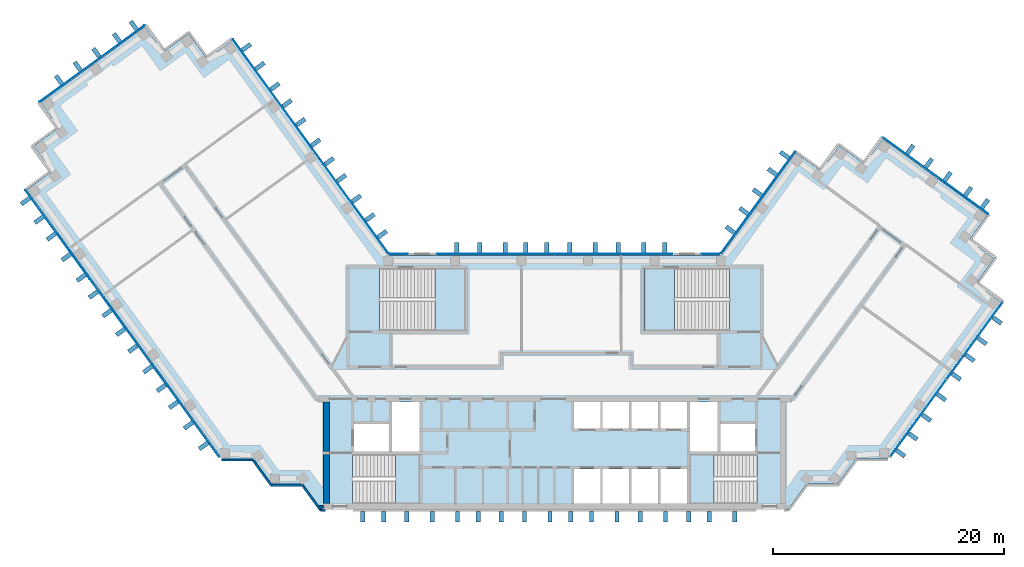
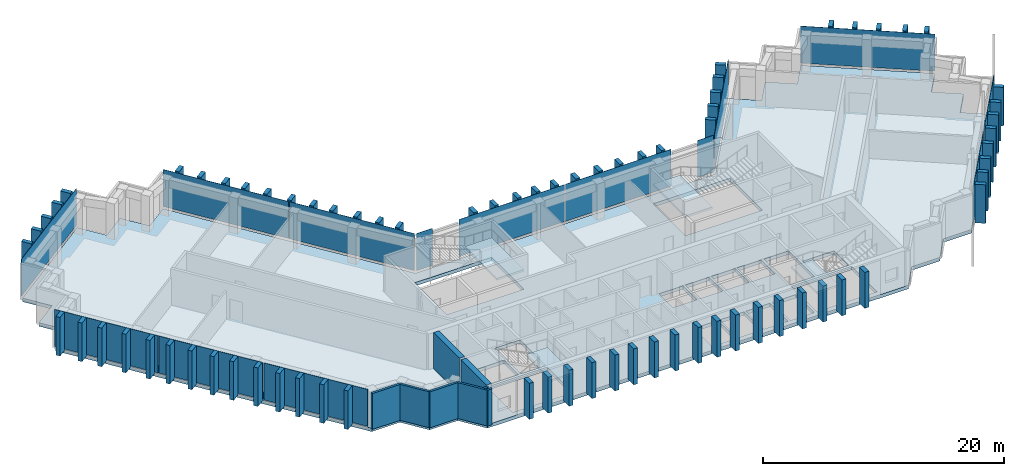
"""IFC4 building model written with IfcOpenShell, lengths in metres."""

from ifc_helpers import new_model, si_unit, direction, frame, frame_2d, origin, origin_2d, place, context, subcontext, project, spatial, polyline, rectangle, outline, extrude, material, layer, layer_set, type_object, element, aggregate, save


model = new_model("IFC4")

# Units and contexts
model_context = context("Model", 3, precision=1e-05, world=origin(), true_north=direction((0.0, 1.0)))
body_context = subcontext(model_context, "Body", "Model", "MODEL_VIEW")
ifc_project = project(units=[si_unit("LENGTHUNIT", "METRE"), si_unit("AREAUNIT", "SQUARE_METRE"), si_unit("VOLUMEUNIT", "CUBIC_METRE"), si_unit("PLANEANGLEUNIT", "RADIAN"), si_unit("MASSUNIT", "GRAM", prefix="KILO")], contexts=[model_context])

# Site, building, storey
site_placement = place(None, origin())
site = spatial("IfcSite", under=ifc_project, at=site_placement, CompositionType="ELEMENT")
building_placement = place(site_placement, origin())
building = spatial("IfcBuilding", under=site, at=building_placement, Name="Quipu Civic Tower", CompositionType="ELEMENT")
storey_1_placement = place(building_placement, frame((0.0, 0.0, 214.0)))
storey_1 = spatial("IfcBuildingStorey", under=building, at=storey_1_placement, Name="L50", CompositionType="ELEMENT", Elevation=214.0)

# Slab
ifc_material_1 = material(Name="Concrete C40/50", Category="concrete")
ifc_layer_1 = layer(ifc_material_1, 0.35009765625)
ifc_layer_set_1 = layer_set([ifc_layer_1], Name="Concrete C40/50")
slab_type_1 = type_object("IfcSlabType", Name="Floor slab 350 C40/50", PredefinedType="FLOOR", material=ifc_layer_set_1)
slab_1_placement = place(storey_1_placement, frame((0.0, 0.0, -0.35009765625)))
element("IfcSlab", 1, at=slab_1_placement, inside=storey_1, type_object=slab_type_1, Name="Floor slab L50", PredefinedType="FLOOR", context=body_context, shape_type="SweptSolid", body=[
    extrude(outline(polyline([(20.860107421875, 19.89501953125), (23.0400390625, 18.31005859375), (24.6298828125, 20.4951171875), (26.81494140625, 18.905029296875), (28.39990234375, 21.090087890625), (37.4599609375, 14.5048828125), (35.875, 12.320068359375), (38.06005859375, 10.735107421875), (36.469970703125, 8.550048828125), (38.655029296875, 6.965087890625), (28.780029296875, -6.6298828125), (26.080078125, -6.6298828125), (24.489990234375, -8.81494140625), (21.7900390625, -8.81494140625), (20.205078125, -11.0), (-20.205078125, -11.0), (-21.7900390625, -8.81494140625), (-24.489990234375, -8.81494140625), (-26.080078125, -6.6298828125), (-28.780029296875, -6.6298828125), (-45.7099609375, 16.669921875), (-43.52490234375, 18.260009765625), (-45.114990234375, 20.445068359375), (-42.929931640625, 22.030029296875), (-44.514892578125, 24.215087890625), (-35.455078125, 30.800048828125), (-33.864990234375, 28.614990234375), (-31.68505859375, 30.199951171875), (-30.094970703125, 28.014892578125), (-27.909912109375, 29.60498046875), (-14.39501953125, 11.0), (14.39501953125, 11.0), (20.860107421875, 19.89501953125)]), holes=[polyline([(1.64990234375, -7.5), (1.64990234375, -10.5), (3.949951171875, -10.5), (3.949951171875, -7.5), (1.64990234375, -7.5)]), polyline([(4.14990234375, -7.5), (4.14990234375, -10.5), (6.449951171875, -10.5), (6.449951171875, -7.5), (4.14990234375, -7.5)]), polyline([(-11.705078125, -6.2548828125), (-17.4951171875, -6.2548828125), (-17.4951171875, -10.4951171875), (-11.705078125, -10.4951171875), (-11.705078125, -6.2548828125)]), polyline([(-17.35009765625, -3.60009765625), (-17.35009765625, -6.0), (-14.35009765625, -6.0), (-14.35009765625, -3.60009765625), (-17.35009765625, -3.60009765625)]), polyline([(-14.10009765625, -1.699951171875), (-14.10009765625, -6.0), (-11.699951171875, -6.0), (-11.699951171875, -1.699951171875), (-14.10009765625, -1.699951171875)]), polyline([(1.64990234375, -1.699951171875), (1.64990234375, -4.0), (3.949951171875, -4.0), (3.949951171875, -1.699951171875), (1.64990234375, -1.699951171875)]), polyline([(4.14990234375, -1.699951171875), (4.14990234375, -4.0), (6.449951171875, -4.0), (6.449951171875, -1.699951171875), (4.14990234375, -1.699951171875)]), polyline([(-7.7548828125, 9.844970703125), (-15.14501953125, 9.844970703125), (-15.14501953125, 4.5048828125), (-7.7548828125, 4.5048828125), (-7.7548828125, 9.844970703125)]), polyline([(6.64990234375, -7.5), (6.64990234375, -10.5), (8.949951171875, -10.5), (8.949951171875, -7.5), (6.64990234375, -7.5)]), polyline([(9.14990234375, -7.5), (9.14990234375, -10.5), (11.449951171875, -10.5), (11.449951171875, -7.5), (9.14990234375, -7.5)]), polyline([(11.705078125, -10.4951171875), (17.4951171875, -10.4951171875), (17.4951171875, -6.2548828125), (11.705078125, -6.2548828125), (11.705078125, -10.4951171875)]), polyline([(14.35009765625, -3.60009765625), (14.35009765625, -6.0), (17.35009765625, -6.0), (17.35009765625, -3.60009765625), (14.35009765625, -3.60009765625)]), polyline([(11.699951171875, -1.699951171875), (11.699951171875, -6.0), (14.10009765625, -6.0), (14.10009765625, -1.699951171875), (11.699951171875, -1.699951171875)]), polyline([(6.64990234375, -1.699951171875), (6.64990234375, -4.0), (8.949951171875, -4.0), (8.949951171875, -1.699951171875), (6.64990234375, -1.699951171875)]), polyline([(9.14990234375, -1.699951171875), (9.14990234375, -4.0), (11.449951171875, -4.0), (11.449951171875, -1.699951171875), (9.14990234375, -1.699951171875)]), polyline([(7.7548828125, 4.5048828125), (15.14501953125, 4.5048828125), (15.14501953125, 9.844970703125), (7.7548828125, 9.844970703125), (7.7548828125, 4.5048828125)])]), origin(), (0.0, 0.0, 1.0), 0.35009765625),
])

# Storey
storey_2_placement = place(building_placement, frame((0.0, 0.0, 210.0)))
storey_2 = spatial("IfcBuildingStorey", under=building, at=storey_2_placement, Name="L49", CompositionType="ELEMENT", Elevation=210.0)

# Curtain wall, plates
ifc_material_2 = material(Name="Insulated glass unit", Category="glass")
curtain_wall_type = type_object("IfcCurtainWallType", Name="Office curtain wall CW1", PredefinedType="NOTDEFINED", material=ifc_material_2)
curtain_wall_1_placement = place(storey_2_placement, origin())
curtain_wall_1 = element("IfcCurtainWall", 2, at=curtain_wall_1_placement, inside=storey_2, type_object=curtain_wall_type, Name="Office curtain wall CW1 L48 run 8", PredefinedType="NOTDEFINED")
ifc_material_3 = material(Name="Insulated glass unit", Category="glass")
ifc_layer_2 = layer(ifc_material_3, 0.028076171875)
ifc_layer_set_2 = layer_set([ifc_layer_2], Name="Insulated glass unit")
plate_type_1 = type_object("IfcPlateType", Name="Glass panel CW1", PredefinedType="CURTAIN_PANEL", material=ifc_layer_set_2)
plate_1_placement = place(storey_1_placement, frame((-17.7421875, 15.777099609375, 0.16015625), z_axis=(0.0, 0.0, 1.0), x_axis=(-0.587788727052, 0.809014469803, 0.0)))
plate_1 = element("IfcPlate", 3, at=plate_1_placement, inside=storey_1, type_object=plate_type_1, Name="CW1 panel 1.3", PredefinedType="CURTAIN_PANEL", context=body_context, shape_type="SweptSolid", body=[
    extrude(rectangle(XDim=11.402099609375, YDim=0.028076171875, at=origin_2d()), origin(), (0.0, 0.0, 1.0), 3.760009765625),
])
plate_2_placement = place(storey_1_placement, frame((-24.491455078125, 25.066162109375, 0.16015625), z_axis=(0.0, 0.0, 1.0), x_axis=(-0.587788727052, 0.809014469803, 0.0)))
plate_2 = element("IfcPlate", 4, at=plate_2_placement, inside=storey_1, type_object=plate_type_1, Name="CW1 panel 2.3", PredefinedType="CURTAIN_PANEL", context=body_context, shape_type="SweptSolid", body=[
    extrude(rectangle(XDim=11.402099609375, YDim=0.028076171875, at=origin_2d()), origin(), (0.0, 0.0, 1.0), 3.760009765625),
])
aggregate(curtain_wall_1, [plate_1, plate_2])

# Curtain wall, plate
curtain_wall_2_placement = place(storey_2_placement, origin())
curtain_wall_2 = element("IfcCurtainWall", 5, at=curtain_wall_2_placement, inside=storey_2, type_object=curtain_wall_type, Name="Office curtain wall CW1 L48 run 13", PredefinedType="NOTDEFINED")
plate_3_placement = place(storey_1_placement, frame((-40.04345703125, 27.58740234375, 0.16015625), z_axis=(0.0, 0.0, 1.0), x_axis=(-0.809015176832, -0.587787753918, 0.0)))
plate_3 = element("IfcPlate", 6, at=plate_3_placement, inside=storey_1, type_object=plate_type_1, Name="CW1 panel 1.3", PredefinedType="CURTAIN_PANEL", context=body_context, shape_type="SweptSolid", body=[
    extrude(rectangle(XDim=11.239990234375, YDim=0.028076171875, at=origin_2d()), origin(), (0.0, 0.0, 1.0), 3.760009765625),
])
aggregate(curtain_wall_2, [plate_3])

# Curtain wall, plates
curtain_wall_3_placement = place(storey_2_placement, origin())
curtain_wall_3 = element("IfcCurtainWall", 7, at=curtain_wall_3_placement, inside=storey_2, type_object=curtain_wall_type, Name="Office curtain wall CW1 L48 run 18", PredefinedType="NOTDEFINED")
plate_4_placement = place(storey_1_placement, frame((-43.030517578125, 12.814208984375, 0.16015625), z_axis=(0.0, 0.0, 1.0), x_axis=(0.5877856923, -0.80901667469, 0.0)))
plate_4 = element("IfcPlate", 8, at=plate_4_placement, inside=storey_1, type_object=plate_type_1, Name="CW1 panel 1.3", PredefinedType="CURTAIN_PANEL", context=body_context, shape_type="SweptSolid", body=[
    extrude(rectangle(XDim=9.43212890625, YDim=0.028076171875, at=origin_2d()), origin(), (0.0, 0.0, 1.0), 3.760009765625),
])
plate_5_placement = place(storey_1_placement, frame((-37.427734375, 5.102783203125, 0.16015625), z_axis=(0.0, 0.0, 1.0), x_axis=(0.5877856923, -0.80901667469, 0.0)))
plate_5 = element("IfcPlate", 9, at=plate_5_placement, inside=storey_1, type_object=plate_type_1, Name="CW1 panel 2.3", PredefinedType="CURTAIN_PANEL", context=body_context, shape_type="SweptSolid", body=[
    extrude(rectangle(XDim=9.471923828125, YDim=0.028076171875, at=origin_2d()), origin(), (0.0, 0.0, 1.0), 3.760009765625),
])
plate_6_placement = place(storey_1_placement, frame((-31.824951171875, -2.60888671875, 0.16015625), z_axis=(0.0, 0.0, 1.0), x_axis=(0.5877856923, -0.80901667469, 0.0)))
plate_6 = element("IfcPlate", 10, at=plate_6_placement, inside=storey_1, type_object=plate_type_1, Name="CW1 panel 3.3", PredefinedType="CURTAIN_PANEL", context=body_context, shape_type="SweptSolid", body=[
    extrude(rectangle(XDim=9.43212890625, YDim=0.028076171875, at=origin_2d()), origin(), (0.0, 0.0, 1.0), 3.760009765625),
])
aggregate(curtain_wall_3, [plate_4, plate_5, plate_6])

# Curtain wall, plate
curtain_wall_4_placement = place(storey_2_placement, origin())
curtain_wall_4 = element("IfcCurtainWall", 11, at=curtain_wall_4_placement, inside=storey_2, type_object=curtain_wall_type, Name="Office curtain wall CW1 L48 run 28", PredefinedType="NOTDEFINED")
plate_7_placement = place(storey_1_placement, frame((32.989990234375, 17.87939453125, 0.16015625), z_axis=(0.0, 0.0, 1.0), x_axis=(-0.809015176832, 0.587787753918, 0.0)))
plate_7 = element("IfcPlate", 12, at=plate_7_placement, inside=storey_1, type_object=plate_type_1, Name="CW1 panel 1.3", PredefinedType="CURTAIN_PANEL", context=body_context, shape_type="SweptSolid", body=[
    extrude(rectangle(XDim=11.239990234375, YDim=0.028076171875, at=origin_2d()), origin(), (0.0, 0.0, 1.0), 3.760009765625),
])
aggregate(curtain_wall_4, [plate_7])

curtain_wall_5_placement = place(storey_2_placement, origin())
curtain_wall_5 = element("IfcCurtainWall", 13, at=curtain_wall_5_placement, inside=storey_2, type_object=curtain_wall_type, Name="Office curtain wall CW1 L48 run 33", PredefinedType="NOTDEFINED")
plate_8_placement = place(storey_1_placement, frame((17.590087890625, 15.5673828125, 0.16015625), z_axis=(0.0, 0.0, 1.0), x_axis=(-0.587787771652, -0.809015163947, 0.0)))
plate_8 = element("IfcPlate", 14, at=plate_8_placement, inside=storey_1, type_object=plate_type_1, Name="CW1 panel 1.3", PredefinedType="CURTAIN_PANEL", context=body_context, shape_type="SweptSolid", body=[
    extrude(rectangle(XDim=10.88427734375, YDim=0.028076171875, at=origin_2d()), origin(), (0.0, 0.0, 1.0), 3.760009765625),
])
aggregate(curtain_wall_5, [plate_8])

curtain_wall_6_placement = place(storey_2_placement, origin())
curtain_wall_6 = element("IfcCurtainWall", 15, at=curtain_wall_6_placement, inside=storey_2, type_object=curtain_wall_type, Name="Office curtain wall CW1 L48 run 34", PredefinedType="NOTDEFINED")
plate_9_placement = place(storey_1_placement, frame((13.49951171875, 11.10009765625, 0.16015625), z_axis=(0.0, 0.0, 1.0), x_axis=(-1.0, 0.0, 0.0)))
plate_9 = element("IfcPlate", 16, at=plate_9_placement, inside=storey_1, type_object=plate_type_1, Name="CW1 panel 1.3", PredefinedType="CURTAIN_PANEL", context=body_context, shape_type="SweptSolid", body=[
    extrude(rectangle(XDim=1.529296875, YDim=0.028076171875, at=origin_2d()), origin(), (0.0, 0.0, 1.0), 3.760009765625),
])
aggregate(curtain_wall_6, [plate_9])

# Curtain wall, plates
curtain_wall_7_placement = place(storey_2_placement, origin())
curtain_wall_7 = element("IfcCurtainWall", 17, at=curtain_wall_7_placement, inside=storey_2, type_object=curtain_wall_type, Name="Office curtain wall CW1 L48 run 36", PredefinedType="NOTDEFINED")
plate_10_placement = place(storey_1_placement, frame((5.11181640625, 11.10009765625, 0.16015625), z_axis=(0.0, 0.0, 1.0), x_axis=(-1.0, 0.0, 0.0)))
plate_10 = element("IfcPlate", 18, at=plate_10_placement, inside=storey_1, type_object=plate_type_1, Name="CW1 panel 1.3", PredefinedType="CURTAIN_PANEL", context=body_context, shape_type="SweptSolid", body=[
    extrude(rectangle(XDim=10.1435546875, YDim=0.028076171875, at=origin_2d()), origin(), (0.0, 0.0, 1.0), 3.760009765625),
])
plate_11_placement = place(storey_1_placement, frame((-5.11181640625, 11.10009765625, 0.16015625), z_axis=(0.0, 0.0, 1.0), x_axis=(-1.0, 0.0, 0.0)))
plate_11 = element("IfcPlate", 19, at=plate_11_placement, inside=storey_1, type_object=plate_type_1, Name="CW1 panel 2.3", PredefinedType="CURTAIN_PANEL", context=body_context, shape_type="SweptSolid", body=[
    extrude(rectangle(XDim=10.1435546875, YDim=0.028076171875, at=origin_2d()), origin(), (0.0, 0.0, 1.0), 3.760009765625),
])
aggregate(curtain_wall_7, [plate_10, plate_11])

# Curtain wall, plate
curtain_wall_8_placement = place(storey_2_placement, origin())
curtain_wall_8 = element("IfcCurtainWall", 20, at=curtain_wall_8_placement, inside=storey_2, type_object=curtain_wall_type, Name="Office curtain wall CW1 L48 run 38", PredefinedType="NOTDEFINED")
plate_12_placement = place(storey_1_placement, frame((-13.49951171875, 11.10009765625, 0.16015625), z_axis=(0.0, 0.0, 1.0), x_axis=(-1.0, 0.0, 0.0)))
plate_12 = element("IfcPlate", 21, at=plate_12_placement, inside=storey_1, type_object=plate_type_1, Name="CW1 panel 1.3", PredefinedType="CURTAIN_PANEL", context=body_context, shape_type="SweptSolid", body=[
    extrude(rectangle(XDim=1.529296875, YDim=0.028076171875, at=origin_2d()), origin(), (0.0, 0.0, 1.0), 3.760009765625),
])
aggregate(curtain_wall_8, [plate_12])

# Curtain wall, plates
curtain_wall_9_placement = place(storey_1_placement, origin())
curtain_wall_9 = element("IfcCurtainWall", 22, at=curtain_wall_9_placement, inside=storey_1, type_object=curtain_wall_type, Name="Office curtain wall CW1 L49 run 4", PredefinedType="NOTDEFINED")
plate_13_placement = place(storey_1_placement, frame((31.465087890625, -3.10400390625, 0.16015625), z_axis=(0.0, 0.0, 1.0), x_axis=(0.58778680192, 0.809015868502, 0.0)))
plate_13 = element("IfcPlate", 23, at=plate_13_placement, type_object=plate_type_1, Name="CW1 panel 1.2", PredefinedType="CURTAIN_PANEL", context=body_context, shape_type="SweptSolid", body=[
    extrude(rectangle(XDim=8.2080078125, YDim=0.028076171875, at=origin_2d()), origin(), (0.0, 0.0, 1.0), 3.840087890625),
])
plate_14_placement = place(storey_1_placement, frame((36.3369140625, 3.60107421875, 0.16015625), z_axis=(0.0, 0.0, 1.0), x_axis=(0.58778680192, 0.809015868502, 0.0)))
plate_14 = element("IfcPlate", 24, at=plate_14_placement, type_object=plate_type_1, Name="CW1 panel 2.2", PredefinedType="CURTAIN_PANEL", context=body_context, shape_type="SweptSolid", body=[
    extrude(rectangle(XDim=8.2080078125, YDim=0.028076171875, at=origin_2d()), origin(), (0.0, 0.0, 1.0), 3.840087890625),
])
aggregate(curtain_wall_9, [plate_13, plate_14])

# Plates
ifc_material_4 = material(Name="Precast concrete C40/50", Category="concrete")
plate_type_2 = type_object("IfcPlateType", Name="Precast fin F2", PredefinedType="SHEET", material=ifc_material_4)
for number, where, z_axis, x_axis, name in (
    (25, (-14.92138671875, 12.830078125, 0.080078125), (0.0, 0.0, 1.0), (-0.587787133119, 0.809015627871, 0.0), "Precast fin F2 L50.P01.1"),
    (26, (-15.9794921875, 14.286376953125, 0.080078125), (0.0, 0.0, 1.0), (-0.587787133119, 0.809015627871, 0.0), "Precast fin F2 L50.P01.2"),
    (27, (-17.155029296875, 15.904541015625, 0.080078125), (0.0, 0.0, 1.0), (-0.587787133119, 0.809015627871, 0.0), "Precast fin F2 L50.P01.3"),
    (28, (-18.4482421875, 17.684326171875, 0.080078125), (0.0, 0.0, 1.0), (-0.587787133119, 0.809015627871, 0.0), "Precast fin F2 L50.P01.4"),
    (29, (-19.506103515625, 19.140625, 0.080078125), (0.0, 0.0, 1.0), (-0.587787133119, 0.809015627871, 0.0), "Precast fin F2 L50.P01.5"),
    (30, (-20.681884765625, 20.758544921875, 0.080078125), (0.0, 0.0, 1.0), (-0.587787133119, 0.809015627871, 0.0), "Precast fin F2 L50.P01.6"),
    (31, (-21.974853515625, 22.538330078125, 0.080078125), (0.0, 0.0, 1.0), (-0.587787133119, 0.809015627871, 0.0), "Precast fin F2 L50.P01.7"),
    (32, (-23.150390625, 24.156494140625, 0.080078125), (0.0, 0.0, 1.0), (-0.587787133119, 0.809015627871, 0.0), "Precast fin F2 L50.P01.8"),
    (33, (-24.20849609375, 25.612548828125, 0.080078125), (0.0, 0.0, 1.0), (-0.587787133119, 0.809015627871, 0.0), "Precast fin F2 L50.P01.9"),
    (34, (-25.501708984375, 27.392578125, 0.080078125), (0.0, 0.0, 1.0), (-0.587787133119, 0.809015627871, 0.0), "Precast fin F2 L50.P01.10"),
    (35, (-26.67724609375, 29.010498046875, 0.080078125), (0.0, 0.0, 1.0), (-0.587787133119, 0.809015627871, 0.0), "Precast fin F2 L50.P01.11"),
    (36, (-36.434814453125, 30.88916015625, 0.080078125), (0.0, 0.0, 1.0), (-0.809017072762, -0.587785144401, 0.0), "Precast fin F2 L50.P06.1"),
    (37, (-37.89111328125, 29.8310546875, 0.080078125), (0.0, 0.0, 1.0), (-0.809017072762, -0.587785144401, 0.0), "Precast fin F2 L50.P06.2"),
    (38, (-39.6708984375, 28.537841796875, 0.080078125), (0.0, 0.0, 1.0), (-0.809017072762, -0.587785144401, 0.0), "Precast fin F2 L50.P06.3"),
    (39, (-41.2890625, 27.3623046875, 0.080078125), (0.0, 0.0, 1.0), (-0.809017072762, -0.587785144401, 0.0), "Precast fin F2 L50.P06.4"),
    (40, (-42.906982421875, 26.186767578125, 0.080078125), (0.0, 0.0, 1.0), (-0.809017072762, -0.587785144401, 0.0), "Precast fin F2 L50.P06.5"),
    (41, (-45.80078125, 15.69140625, 0.080078125), (0.0, 0.0, 1.0), (0.587785620359, -0.809016726959, 0.0), "Precast fin F2 L50.P11.1"),
    (42, (-44.625244140625, 14.073486328125, 0.080078125), (0.0, 0.0, 1.0), (0.587785620359, -0.809016726959, 0.0), "Precast fin F2 L50.P11.2"),
    (43, (-43.567138671875, 12.6171875, 0.080078125), (0.0, 0.0, 1.0), (0.587785620359, -0.809016726959, 0.0), "Precast fin F2 L50.P11.3"),
    (44, (-42.27392578125, 10.83740234375, 0.080078125), (0.0, 0.0, 1.0), (0.587785620359, -0.809016726959, 0.0), "Precast fin F2 L50.P11.4"),
    (45, (-40.98095703125, 9.0576171875, 0.080078125), (0.0, 0.0, 1.0), (0.587785620359, -0.809016726959, 0.0), "Precast fin F2 L50.P11.5"),
    (46, (-39.9228515625, 7.601318359375, 0.080078125), (0.0, 0.0, 1.0), (0.587785620359, -0.809016726959, 0.0), "Precast fin F2 L50.P11.6"),
    (47, (-38.747314453125, 5.983154296875, 0.080078125), (0.0, 0.0, 1.0), (0.587785620359, -0.809016726959, 0.0), "Precast fin F2 L50.P11.7"),
    (48, (-37.57177734375, 4.365234375, 0.080078125), (0.0, 0.0, 1.0), (0.587785620359, -0.809016726959, 0.0), "Precast fin F2 L50.P11.8"),
    (49, (-36.513671875, 2.908935546875, 0.080078125), (0.0, 0.0, 1.0), (0.587785620359, -0.809016726959, 0.0), "Precast fin F2 L50.P11.9"),
    (50, (-35.220458984375, 1.129150390625, 0.080078125), (0.0, 0.0, 1.0), (0.587785620359, -0.809016726959, 0.0), "Precast fin F2 L50.P11.10"),
    (51, (-34.044921875, -0.48876953125, 0.080078125), (0.0, 0.0, 1.0), (0.587785620359, -0.809016726959, 0.0), "Precast fin F2 L50.P11.11"),
    (52, (-32.987060546875, -1.945068359375, 0.080078125), (0.0, 0.0, 1.0), (0.587785620359, -0.809016726959, 0.0), "Precast fin F2 L50.P11.12"),
    (53, (-31.69384765625, -3.724853515625, 0.080078125), (0.0, 0.0, 1.0), (0.587785620359, -0.809016726959, 0.0), "Precast fin F2 L50.P11.13"),
    (54, (-30.400634765625, -5.5048828125, 0.080078125), (0.0, 0.0, 1.0), (0.587785620359, -0.809016726959, 0.0), "Precast fin F2 L50.P11.14"),
):
    element("IfcPlate", number, at=place(storey_1_placement, frame(where, z_axis=z_axis, x_axis=x_axis)), inside=storey_1, type_object=plate_type_2, Name=name, PredefinedType="SHEET", context=body_context, shape_type="SweptSolid", body=[
        extrude(rectangle(XDim=0.3798828125, YDim=0.89990234375, at=origin_2d()), origin(), (0.0, 0.0, 1.0), 3.919921875),
    ])
for number, where, z_axis, x_axis, name in (
    (55, (-16.610107421875, -11.637939453125, 0.0), (0.0, 0.0, 1.0), (1.0, 0.0, 0.0), "Precast fin F2 L50.P18.1"),
    (56, (-14.81005859375, -11.637939453125, 0.0), (0.0, 0.0, 1.0), (1.0, 0.0, 0.0), "Precast fin F2 L50.P18.2"),
    (57, (-12.81005859375, -11.637939453125, 0.0), (0.0, 0.0, 1.0), (1.0, 0.0, 0.0), "Precast fin F2 L50.P18.3"),
    (58, (-10.610107421875, -11.637939453125, 0.0), (0.0, 0.0, 1.0), (1.0, 0.0, 0.0), "Precast fin F2 L50.P18.4"),
    (59, (-8.409912109375, -11.637939453125, 0.0), (0.0, 0.0, 1.0), (1.0, 0.0, 0.0), "Precast fin F2 L50.P18.5"),
    (60, (-6.610107421875, -11.637939453125, 0.0), (0.0, 0.0, 1.0), (1.0, 0.0, 0.0), "Precast fin F2 L50.P18.6"),
    (61, (-4.610107421875, -11.637939453125, 0.0), (0.0, 0.0, 1.0), (1.0, 0.0, 0.0), "Precast fin F2 L50.P18.7"),
    (62, (-2.610107421875, -11.637939453125, 0.0), (0.0, 0.0, 1.0), (1.0, 0.0, 0.0), "Precast fin F2 L50.P18.8"),
    (63, (-0.409912109375, -11.637939453125, 0.0), (0.0, 0.0, 1.0), (1.0, 0.0, 0.0), "Precast fin F2 L50.P18.9"),
    (64, (1.389892578125, -11.637939453125, 0.0), (0.0, 0.0, 1.0), (1.0, 0.0, 0.0), "Precast fin F2 L50.P18.10"),
    (65, (3.18994140625, -11.637939453125, 0.0), (0.0, 0.0, 1.0), (1.0, 0.0, 0.0), "Precast fin F2 L50.P18.11"),
    (66, (5.389892578125, -11.637939453125, 0.0), (0.0, 0.0, 1.0), (1.0, 0.0, 0.0), "Precast fin F2 L50.P18.12"),
    (67, (7.389892578125, -11.637939453125, 0.0), (0.0, 0.0, 1.0), (1.0, 0.0, 0.0), "Precast fin F2 L50.P18.13"),
    (68, (9.590087890625, -11.637939453125, 0.0), (0.0, 0.0, 1.0), (1.0, 0.0, 0.0), "Precast fin F2 L50.P18.14"),
    (69, (11.590087890625, -11.637939453125, 0.0), (0.0, 0.0, 1.0), (1.0, 0.0, 0.0), "Precast fin F2 L50.P18.15"),
    (70, (13.389892578125, -11.637939453125, 0.0), (0.0, 0.0, 1.0), (1.0, 0.0, 0.0), "Precast fin F2 L50.P18.16"),
    (71, (15.590087890625, -11.637939453125, 0.0), (0.0, 0.0, 1.0), (1.0, 0.0, 0.0), "Precast fin F2 L50.P18.17"),
):
    element("IfcPlate", number, at=place(storey_1_placement, frame(where, z_axis=z_axis, x_axis=x_axis)), inside=storey_1, type_object=plate_type_2, Name=name, PredefinedType="SHEET", context=body_context, shape_type="SweptSolid", body=[
        extrude(rectangle(XDim=0.3798828125, YDim=0.89990234375, at=origin_2d()), origin(), (0.0, 0.0, 1.0), 3.64990234375),
    ])
for number, where, z_axis, x_axis, name in (
    (72, (37.2451171875, 15.467529296875, 0.080078125), (0.0, 0.0, 1.0), (-0.809017072762, 0.587785144401, 0.0), "Precast fin F2 L50.P22.1"),
    (73, (35.7890625, 16.525634765625, 0.080078125), (0.0, 0.0, 1.0), (-0.809017072762, 0.587785144401, 0.0), "Precast fin F2 L50.P22.2"),
    (74, (34.009033203125, 17.81884765625, 0.080078125), (0.0, 0.0, 1.0), (-0.809017072762, 0.587785144401, 0.0), "Precast fin F2 L50.P22.3"),
    (75, (32.39111328125, 18.994384765625, 0.080078125), (0.0, 0.0, 1.0), (-0.809017072762, 0.587785144401, 0.0), "Precast fin F2 L50.P22.4"),
    (76, (30.77294921875, 20.169921875, 0.080078125), (0.0, 0.0, 1.0), (-0.809017072762, 0.587785144401, 0.0), "Precast fin F2 L50.P22.5"),
    (77, (19.897216796875, 19.6787109375, 0.080078125), (0.0, 0.0, 1.0), (-0.58778443384, -0.809017589015, 0.0), "Precast fin F2 L50.P27.1"),
    (78, (18.839111328125, 18.222412109375, 0.080078125), (0.0, 0.0, 1.0), (-0.58778443384, -0.809017589015, 0.0), "Precast fin F2 L50.P27.2"),
    (79, (17.546142578125, 16.442626953125, 0.080078125), (0.0, 0.0, 1.0), (-0.58778443384, -0.809017589015, 0.0), "Precast fin F2 L50.P27.3"),
    (80, (16.370361328125, 14.824462890625, 0.080078125), (0.0, 0.0, 1.0), (-0.58778443384, -0.809017589015, 0.0), "Precast fin F2 L50.P27.4"),
    (81, (15.19482421875, 13.20654296875, 0.080078125), (0.0, 0.0, 1.0), (-0.58778443384, -0.809017589015, 0.0), "Precast fin F2 L50.P27.5"),
    (82, (9.510009765625, 11.64990234375, 0.080078125), (0.0, 0.0, 1.0), (-1.0, 0.0, 0.0), "Precast fin F2 L50.P30.1"),
    (83, (7.7099609375, 11.64990234375, 0.080078125), (0.0, 0.0, 1.0), (-1.0, 0.0, 0.0), "Precast fin F2 L50.P30.2"),
    (84, (5.510009765625, 11.64990234375, 0.080078125), (0.0, 0.0, 1.0), (-1.0, 0.0, 0.0), "Precast fin F2 L50.P30.3"),
    (85, (3.510009765625, 11.64990234375, 0.080078125), (0.0, 0.0, 1.0), (-1.0, 0.0, 0.0), "Precast fin F2 L50.P30.4"),
    (86, (1.31005859375, 11.64990234375, 0.080078125), (0.0, 0.0, 1.0), (-1.0, 0.0, 0.0), "Precast fin F2 L50.P30.5"),
    (87, (-0.68994140625, 11.64990234375, 0.080078125), (0.0, 0.0, 1.0), (-1.0, 0.0, 0.0), "Precast fin F2 L50.P30.6"),
    (88, (-2.489990234375, 11.64990234375, 0.080078125), (0.0, 0.0, 1.0), (-1.0, 0.0, 0.0), "Precast fin F2 L50.P30.7"),
    (89, (-4.2900390625, 11.64990234375, 0.080078125), (0.0, 0.0, 1.0), (-1.0, 0.0, 0.0), "Precast fin F2 L50.P30.8"),
    (90, (-6.489990234375, 11.64990234375, 0.080078125), (0.0, 0.0, 1.0), (-1.0, 0.0, 0.0), "Precast fin F2 L50.P30.9"),
    (91, (-8.489990234375, 11.64990234375, 0.080078125), (0.0, 0.0, 1.0), (-1.0, 0.0, 0.0), "Precast fin F2 L50.P30.10"),
    (92, (29.943603515625, -6.134033203125, 0.080078125), (0.0, 0.0, 1.0), (0.587786668783, 0.809015965233, 0.0), "Precast fin F2 L50.P36.1"),
    (93, (31.00146484375, -4.677734375, 0.080078125), (0.0, 0.0, 1.0), (0.587786668783, 0.809015965233, 0.0), "Precast fin F2 L50.P36.2"),
    (94, (32.17724609375, -3.059814453125, 0.080078125), (0.0, 0.0, 1.0), (0.587786668783, 0.809015965233, 0.0), "Precast fin F2 L50.P36.3"),
    (95, (33.47021484375, -1.280029296875, 0.080078125), (0.0, 0.0, 1.0), (0.587786668783, 0.809015965233, 0.0), "Precast fin F2 L50.P36.4"),
    (96, (34.763427734375, 0.5, 0.080078125), (0.0, 0.0, 1.0), (0.587786668783, 0.809015965233, 0.0), "Precast fin F2 L50.P36.5"),
    (97, (35.93896484375, 2.117919921875, 0.080078125), (0.0, 0.0, 1.0), (0.587786668783, 0.809015965233, 0.0), "Precast fin F2 L50.P36.6"),
    (98, (36.9970703125, 3.57421875, 0.080078125), (0.0, 0.0, 1.0), (0.587786668783, 0.809015965233, 0.0), "Precast fin F2 L50.P36.7"),
    (99, (38.2900390625, 5.35400390625, 0.080078125), (0.0, 0.0, 1.0), (0.587786668783, 0.809015965233, 0.0), "Precast fin F2 L50.P36.8"),
):
    element("IfcPlate", number, at=place(storey_1_placement, frame(where, z_axis=z_axis, x_axis=x_axis)), inside=storey_1, type_object=plate_type_2, Name=name, PredefinedType="SHEET", context=body_context, shape_type="SweptSolid", body=[
        extrude(rectangle(XDim=0.3798828125, YDim=0.89990234375, at=origin_2d()), origin(), (0.0, 0.0, 1.0), 3.919921875),
    ])

# Stair, slab
ifc_material_5 = material(Name="Concrete C40/50", Category="concrete")
stair_type_1 = type_object("IfcStairType", Name="Half turn stair 2000", PredefinedType="HALF_TURN_STAIR", material=ifc_material_5)
stair_1_placement = place(storey_1_placement, origin())
stair_1 = element("IfcStair", 100, at=stair_1_placement, inside=storey_1, type_object=stair_type_1, Name="Exit stair 1", PredefinedType="HALF_TURN_STAIR")
ifc_material_6 = material(Name="Concrete C40/50", Category="concrete")
ifc_layer_3 = layer(ifc_material_6, 0.199951171875)
ifc_layer_set_3 = layer_set([ifc_layer_3], Name="Concrete C40/50")
slab_type_2 = type_object("IfcSlabType", Name="Stair landing 200", PredefinedType="LANDING", material=ifc_layer_set_3)
slab_2_placement = place(storey_1_placement, frame((0.0, 0.0, 1.800048828125)))
slab_2 = element("IfcSlab", 101, at=slab_2_placement, type_object=slab_type_2, Name="ST-1 landing 1", PredefinedType="LANDING", context=body_context, shape_type="SweptSolid", body=[
    extrude(outline(polyline([(-13.780029296875, -10.5), (-11.699951171875, -10.5), (-11.699951171875, -6.25), (-13.780029296875, -6.25), (-13.780029296875, -10.5)])), origin(), (0.0, 0.0, 1.0), 0.199951171875),
])
aggregate(stair_1, [slab_2])

stair_2_placement = place(storey_1_placement, origin())
stair_2 = element("IfcStair", 102, at=stair_2_placement, inside=storey_1, type_object=stair_type_1, Name="Exit stair 2", PredefinedType="HALF_TURN_STAIR")
slab_3_placement = place(storey_1_placement, frame((0.0, 0.0, 1.800048828125)))
slab_3 = element("IfcSlab", 103, at=slab_3_placement, type_object=slab_type_2, Name="ST-2 landing 1", PredefinedType="LANDING", context=body_context, shape_type="SweptSolid", body=[
    extrude(outline(polyline([(13.780029296875, -6.25), (11.699951171875, -6.25), (11.699951171875, -10.5), (13.780029296875, -10.5), (13.780029296875, -6.25)])), origin(), (0.0, 0.0, 1.0), 0.199951171875),
])
aggregate(stair_2, [slab_3])

ifc_material_7 = material(Name="Concrete C40/50", Category="concrete")
stair_type_2 = type_object("IfcStairType", Name="Half turn stair 2600", PredefinedType="HALF_TURN_STAIR", material=ifc_material_7)
stair_3_placement = place(storey_1_placement, origin())
stair_3 = element("IfcStair", 104, at=stair_3_placement, inside=storey_1, type_object=stair_type_2, Name="Exit stair 3", PredefinedType="HALF_TURN_STAIR")
slab_4_placement = place(storey_1_placement, frame((0.0, 0.0, 1.800048828125)))
slab_4 = element("IfcSlab", 105, at=slab_4_placement, type_object=slab_type_2, Name="ST-3 landing 1", PredefinedType="LANDING", context=body_context, shape_type="SweptSolid", body=[
    extrude(outline(polyline([(-10.35009765625, 4.5), (-7.75, 4.5), (-7.75, 9.85009765625), (-10.35009765625, 9.85009765625), (-10.35009765625, 4.5)])), origin(), (0.0, 0.0, 1.0), 0.199951171875),
])
aggregate(stair_3, [slab_4])

stair_4_placement = place(storey_1_placement, origin())
stair_4 = element("IfcStair", 106, at=stair_4_placement, inside=storey_1, type_object=stair_type_2, Name="Exit stair 4", PredefinedType="HALF_TURN_STAIR")
slab_5_placement = place(storey_1_placement, frame((0.0, 0.0, 1.800048828125)))
slab_5 = element("IfcSlab", 107, at=slab_5_placement, type_object=slab_type_2, Name="ST-4 landing 1", PredefinedType="LANDING", context=body_context, shape_type="SweptSolid", body=[
    extrude(outline(polyline([(10.35009765625, 9.85009765625), (7.75, 9.85009765625), (7.75, 4.5), (10.35009765625, 4.5), (10.35009765625, 9.85009765625)])), origin(), (0.0, 0.0, 1.0), 0.199951171875),
])
aggregate(stair_4, [slab_5])

# Walls
ifc_material_8 = material(Name="Concrete C70/85", Category="concrete")
ifc_layer_4 = layer(ifc_material_8, 0.5)
ifc_layer_set_4 = layer_set([ifc_layer_4], Name="Concrete C70/85")
wall_type_1 = type_object("IfcWallType", Name="Core wall 500", PredefinedType="SHEAR", material=ifc_layer_set_4)
wall_1_placement = place(storey_1_placement, frame((-19.75, -10.5, 0.0), z_axis=(0.0, 0.0, 1.0), x_axis=(0.0, 1.0, 0.0)))
element("IfcWall", 108, at=wall_1_placement, inside=storey_1, type_object=wall_type_1, Name="Core wall", PredefinedType="SHEAR", context=body_context, shape_type="SweptSolid", body=[
    extrude(rectangle(XDim=4.25, YDim=0.5, at=frame_2d((2.125, 0.0))), origin(), (0.0, 0.0, 1.0), 3.64990234375),
])
wall_2_placement = place(storey_1_placement, frame((-19.75, -6.0, 0.0), z_axis=(0.0, 0.0, 1.0), x_axis=(0.0, 1.0, 0.0)))
element("IfcWall", 109, at=wall_2_placement, inside=storey_1, type_object=wall_type_1, Name="Core wall", PredefinedType="SHEAR", context=body_context, shape_type="SweptSolid", body=[
    extrude(rectangle(XDim=4.300048828125, YDim=0.5, at=frame_2d((2.14990234375, 0.0))), origin(), (0.0, 0.0, 1.0), 3.64990234375),
])
ifc_material_9 = material(Name="Precast concrete C40/50", Category="concrete")
wall_type_2 = type_object("IfcWallType", Name="Precast cladding wall", PredefinedType="SOLIDWALL", material=ifc_material_9)
wall_3_placement = place(storey_1_placement, frame((-28.829833984375, -6.71923828125, 0.0), z_axis=(0.0, 0.0, 1.0), x_axis=(1.0, 0.0, 0.0)))
element("IfcWall", 110, at=wall_3_placement, inside=storey_1, type_object=wall_type_2, Name="Precast cladding wall L50 P12", PredefinedType="SOLIDWALL", context=body_context, shape_type="SweptSolid", body=[
    extrude(rectangle(XDim=2.699951171875, YDim=0.199951171875, at=frame_2d((1.35009765625, 0.0))), origin(), (0.0, 0.0, 1.0), 3.64990234375),
])
wall_4_placement = place(storey_1_placement, frame((-26.1201171875, -6.72412109375, 0.0), z_axis=(0.0, 0.0, 1.0), x_axis=(0.587720002413, -0.809064397168, 0.0)))
element("IfcWall", 111, at=wall_4_placement, inside=storey_1, type_object=wall_type_2, Name="Precast cladding wall L50 P13", PredefinedType="SOLIDWALL", context=body_context, shape_type="SweptSolid", body=[
    extrude(rectangle(XDim=2.7001953125, YDim=0.199951171875, at=frame_2d((1.35009765625, 0.0))), origin(), (0.0, 0.0, 1.0), 3.64990234375),
])
wall_5_placement = place(storey_1_placement, frame((-24.542724609375, -8.90380859375, 0.0), z_axis=(0.0, 0.0, 1.0), x_axis=(1.0, 0.0, 0.0)))
element("IfcWall", 112, at=wall_5_placement, inside=storey_1, type_object=wall_type_2, Name="Precast cladding wall L50 P14", PredefinedType="SOLIDWALL", context=body_context, shape_type="SweptSolid", body=[
    extrude(rectangle(XDim=2.699951171875, YDim=0.199951171875, at=frame_2d((1.35009765625, 0.0))), origin(), (0.0, 0.0, 1.0), 3.64990234375),
])
wall_6_placement = place(storey_1_placement, frame((-21.8330078125, -8.90869140625, 0.0), z_axis=(0.0, 0.0, 1.0), x_axis=(0.587766567315, -0.809030569476, 0.0)))
element("IfcWall", 113, at=wall_6_placement, inside=storey_1, type_object=wall_type_2, Name="Precast cladding wall L50 P15", PredefinedType="SOLIDWALL", context=body_context, shape_type="SweptSolid", body=[
    extrude(rectangle(XDim=2.687744140625, YDim=0.199951171875, at=frame_2d((1.34375, 0.0))), origin(), (0.0, 0.0, 1.0), 3.64990234375),
])
wall_7_placement = place(storey_1_placement, frame((-20.255859375, -11.087890625, 0.0), z_axis=(0.0, 0.0, 1.0), x_axis=(1.0, 0.0, 0.0)))
element("IfcWall", 114, at=wall_7_placement, inside=storey_1, type_object=wall_type_2, Name="Precast cladding wall L50 P16", PredefinedType="SOLIDWALL", context=body_context, shape_type="SweptSolid", body=[
    extrude(rectangle(XDim=0.40576171875, YDim=0.199951171875, at=frame_2d((0.202880859375, 0.0))), origin(), (0.0, 0.0, 1.0), 3.64990234375),
])
wall_8_placement = place(storey_1_placement, frame((-19.97998046875, -10.75, 0.0), z_axis=(0.0, 0.0, 1.0), x_axis=(-1.0, 0.0, 0.0)))
element("IfcWall", 115, at=wall_8_placement, inside=storey_1, type_object=wall_type_2, Name="Precast cladding return L50 W", PredefinedType="SOLIDWALL", context=body_context, shape_type="SweptSolid", body=[
    extrude(rectangle(XDim=0.41650390625, YDim=0.199951171875, at=frame_2d((0.208251953125, 0.0))), origin(), (0.0, 0.0, 1.0), 3.64990234375),
])

save(model, "model.ifc")
